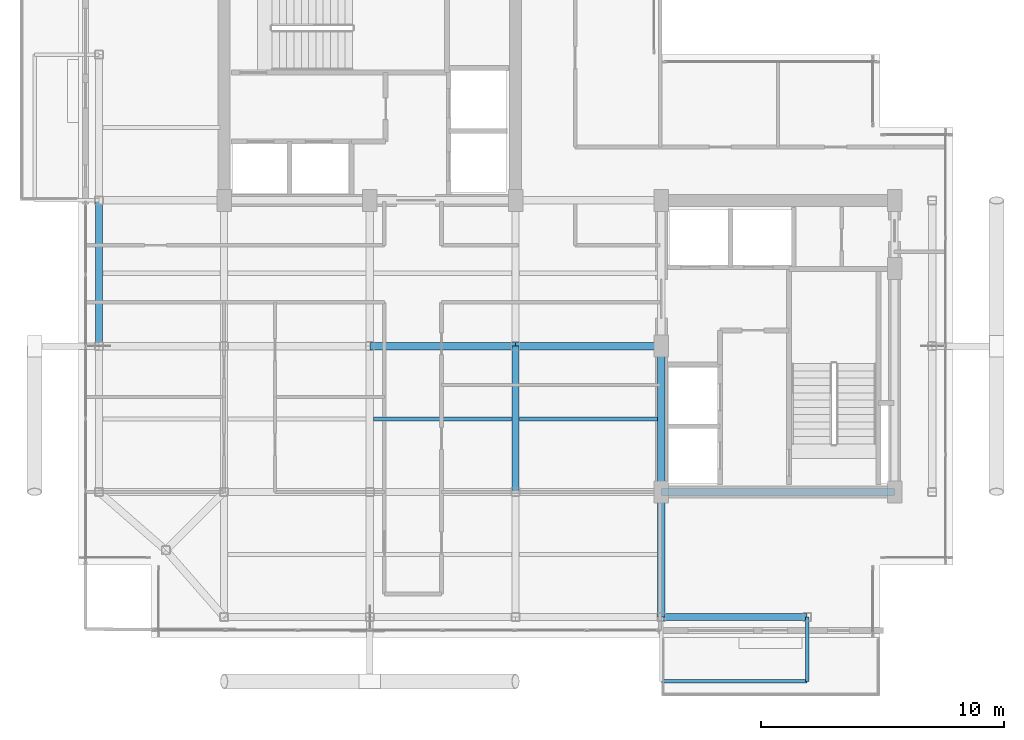
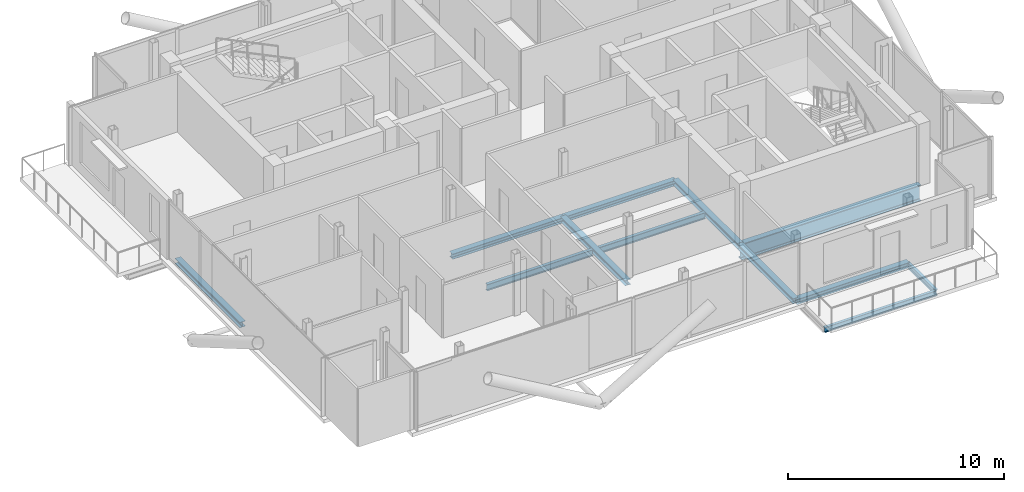
# One storey, part 5 of 18: 12 beams.
"""IFC4 building model written with IfcOpenShell, lengths in metres."""

from ifc_helpers import new_model, si_unit, direction, frame, origin, origin_2d, place, context, subcontext, project, spatial, i_section, extrude, material, material_profile, profile_set, type_object, element, save


model = new_model("IFC4")

# Units and contexts
model_context = context("Model", 3, precision=1e-05, world=origin(), true_north=direction((0.0, 1.0)))
body_context = subcontext(model_context, "Body", "Model", "MODEL_VIEW")
ifc_project = project(units=[si_unit("LENGTHUNIT", "METRE"), si_unit("AREAUNIT", "SQUARE_METRE"), si_unit("VOLUMEUNIT", "CUBIC_METRE"), si_unit("PLANEANGLEUNIT", "RADIAN"), si_unit("MASSUNIT", "GRAM", prefix="KILO"), si_unit("THERMODYNAMICTEMPERATUREUNIT", "KELVIN"), si_unit("POWERUNIT", "WATT")], contexts=[model_context])

# Site, building, storey
site_placement = place(None, origin())
site = spatial("IfcSite", under=ifc_project, at=site_placement, CompositionType="ELEMENT")
building_placement = place(site_placement, origin())
building = spatial("IfcBuilding", under=site, at=building_placement, Name="Svarakhadi Broadcast Tower", CompositionType="ELEMENT")
storey_placement = place(building_placement, frame((0.0, 0.0, 260.699951171875)))
storey = spatial("IfcBuildingStorey", under=building, at=storey_placement, Name="L65", CompositionType="ELEMENT", Elevation=260.699951171875)

# Beams
ifc_material_1 = material(Name="Steel S355J2 (IS 2062 E350C)", Category="steel")
ifc_material_profile_1 = material_profile(ifc_material_1, i_section(OverallWidth=0.169921875, OverallDepth=0.360107421875, WebThickness=0.008056640625, FlangeThickness=0.0126953125, FilletRadius=0.01806640625, at=origin_2d()), Name="NPB 360x170x57")
ifc_profile_set_1 = profile_set([ifc_material_profile_1], Name="Steel S355J2 (IS 2062 E350C)")
beam_type_1 = type_object("IfcBeamType", Name="Beam_NPB360", PredefinedType="BEAM", material=ifc_profile_set_1)
for number, where, z_axis, x_axis, name in (
    (1, (12.159912109375, 9.0, -0.3798828125), (1.0, 0.0, 0.0), (0.0, 1.0, 0.0), "L65 Secondary Composite Beam SB008"),
    (2, (18.159912109375, 9.0, -0.3798828125), (1.0, 0.0, 0.0), (0.0, 1.0, 0.0), "L65 Secondary Composite Beam SB011"),
):
    element("IfcBeam", number, at=place(storey_placement, frame(where, z_axis=z_axis, x_axis=x_axis)), inside=storey, type_object=beam_type_1, Name=name, PredefinedType="BEAM", context=body_context, shape_type="SweptSolid", body=[
        extrude(i_section(OverallWidth=0.169921875, OverallDepth=0.360107421875, WebThickness=0.008056640625, FlangeThickness=0.0126953125, FilletRadius=0.01806640625, at=origin_2d()), origin(), (0.0, 0.0, 1.0), 5.68017578125),
    ])
ifc_material_profile_2 = material_profile(ifc_material_1, i_section(OverallWidth=0.300048828125, OverallDepth=0.300048828125, WebThickness=0.010986328125, FlangeThickness=0.01904296875, FilletRadius=0.027099609375, at=origin_2d()), Name="WPB 300x300x117")
ifc_profile_set_2 = profile_set([ifc_material_profile_2], Name="Steel S355J2 (IS 2062 E350C)")
beam_type_2 = type_object("IfcBeamType", Name="Girder_WPB300", PredefinedType="USERDEFINED", material=ifc_profile_set_2)
for number, where, z_axis, x_axis, name in (
    (3, (24.0, 0.85009765625, -0.349853515625), (1.0, 0.0, 0.0), (0.0, 1.0, 0.0), "L65 Primary E-W Girder G007"),
    (4, (12.0, 12.0, -0.349853515625), (1.0, 0.0, 0.0), (0.0, 1.0, 0.0), "L65 Primary E-W Girder G015"),
    (5, (18.0, 12.0, -0.349853515625), (1.0, 0.0, 0.0), (0.0, 1.0, 0.0), "L65 Primary E-W Girder G016"),
    (6, (0.85009765625, 12.0, -0.349853515625), (0.0, 1.0, 0.0), (-1.0, 0.0, 0.0), "L65 Primary N-S Girder G027"),
    (7, (18.0, 6.0, -0.349853515625), (0.0, 1.0, 0.0), (-1.0, 0.0, 0.0), "L65 Primary N-S Girder G037"),
):
    element("IfcBeam", number, at=place(storey_placement, frame(where, z_axis=z_axis, x_axis=x_axis)), inside=storey, type_object=beam_type_2, Name=name, ObjectType="GIRDER", PredefinedType="USERDEFINED", context=body_context, shape_type="SweptSolid", body=[
        extrude(i_section(OverallWidth=0.300048828125, OverallDepth=0.300048828125, WebThickness=0.010986328125, FlangeThickness=0.01904296875, FilletRadius=0.027099609375, at=origin_2d()), origin(), (0.0, 0.0, 1.0), 6.0),
    ])
beam_1_placement = place(storey_placement, frame((24.0, 0.85009765625, -0.349853515625), z_axis=(0.0, 1.0, 0.0), x_axis=(-1.0, 0.0, 0.0)))
element("IfcBeam", 8, at=beam_1_placement, inside=storey, type_object=beam_type_2, Name="L65 Primary N-S Girder G040", ObjectType="GIRDER", PredefinedType="USERDEFINED", context=body_context, shape_type="SweptSolid", body=[
    extrude(i_section(OverallWidth=0.300048828125, OverallDepth=0.300048828125, WebThickness=0.010986328125, FlangeThickness=0.01904296875, FilletRadius=0.027099609375, at=origin_2d()), origin(), (0.0, 0.0, 1.0), 5.14990234375),
])
beam_2_placement = place(storey_placement, frame((24.0, 6.0, -0.349853515625), z_axis=(0.0, 1.0, 0.0), x_axis=(-1.0, 0.0, 0.0)))
element("IfcBeam", 9, at=beam_2_placement, inside=storey, type_object=beam_type_2, Name="L65 Primary N-S Girder G041", ObjectType="GIRDER", PredefinedType="USERDEFINED", context=body_context, shape_type="SweptSolid", body=[
    extrude(i_section(OverallWidth=0.300048828125, OverallDepth=0.300048828125, WebThickness=0.010986328125, FlangeThickness=0.01904296875, FilletRadius=0.027099609375, at=origin_2d()), origin(), (0.0, 0.0, 1.0), 6.0),
])
ifc_material_2 = material(Name="Steel S460ML (IS 2062 E450BR)", Category="steel")
ifc_material_profile_3 = material_profile(ifc_material_2, i_section(OverallWidth=0.300048828125, OverallDepth=0.89990234375, WebThickness=0.0185546875, FlangeThickness=0.034912109375, FilletRadius=0.030029296875, at=origin_2d()), Name="WPB 900x300x291")
ifc_profile_set_3 = profile_set([ifc_material_profile_3], Name="Steel S460ML (IS 2062 E450BR)")
beam_type_3 = type_object("IfcBeamType", Name="Girder_WPB900", PredefinedType="USERDEFINED", material=ifc_profile_set_3)
beam_3_placement = place(storey_placement, frame((24.0, 6.0, -0.64990234375), z_axis=(1.0, 0.0, 0.0), x_axis=(0.0, 1.0, 0.0)))
element("IfcBeam", 10, at=beam_3_placement, inside=storey, type_object=beam_type_3, Name="L65 Primary E-W Girder G012", ObjectType="GIRDER", PredefinedType="USERDEFINED", context=body_context, shape_type="SweptSolid", body=[
    extrude(i_section(OverallWidth=0.300048828125, OverallDepth=0.89990234375, WebThickness=0.0185546875, FlangeThickness=0.034912109375, FilletRadius=0.030029296875, at=origin_2d()), origin(), (0.0, 0.0, 1.0), 9.60009765625),
])
ifc_material_profile_4 = material_profile(ifc_material_1, i_section(OverallWidth=0.14990234375, OverallDepth=0.300048828125, WebThickness=0.007080078125, FlangeThickness=0.0107421875, FilletRadius=0.014892578125, at=origin_2d()), Name="NPB 300x150x37")
ifc_profile_set_4 = profile_set([ifc_material_profile_4], Name="Steel S355J2 (IS 2062 E350C)")
beam_type_4 = type_object("IfcBeamType", Name="Spandrel_NPB300", PredefinedType="SPANDREL", material=ifc_profile_set_4)
beam_4_placement = place(storey_placement, frame((30.0, 0.85009765625, -0.375), z_axis=(0.0, -1.0, 0.0), x_axis=(1.0, 0.0, 0.0)))
element("IfcBeam", 11, at=beam_4_placement, inside=storey, type_object=beam_type_4, Name="L65 Balcony Cantilever Bracket 1B", PredefinedType="SPANDREL", context=body_context, shape_type="SweptSolid", body=[
    extrude(i_section(OverallWidth=0.14990234375, OverallDepth=0.300048828125, WebThickness=0.007080078125, FlangeThickness=0.0107421875, FilletRadius=0.014892578125, at=origin_2d()), origin(), (0.0, 0.0, 1.0), 2.650146484375),
])
beam_5_placement = place(storey_placement, frame((24.0, -1.800048828125, -0.375), z_axis=(1.0, 0.0, 0.0), x_axis=(0.0, 1.0, 0.0)))
element("IfcBeam", 12, at=beam_5_placement, inside=storey, type_object=beam_type_4, Name="L65 Balcony Outer Spandrel 1F", PredefinedType="SPANDREL", context=body_context, shape_type="SweptSolid", body=[
    extrude(i_section(OverallWidth=0.14990234375, OverallDepth=0.300048828125, WebThickness=0.007080078125, FlangeThickness=0.0107421875, FilletRadius=0.014892578125, at=origin_2d()), origin(), (0.0, 0.0, 1.0), 6.0),
])

save(model, "model.ifc")
